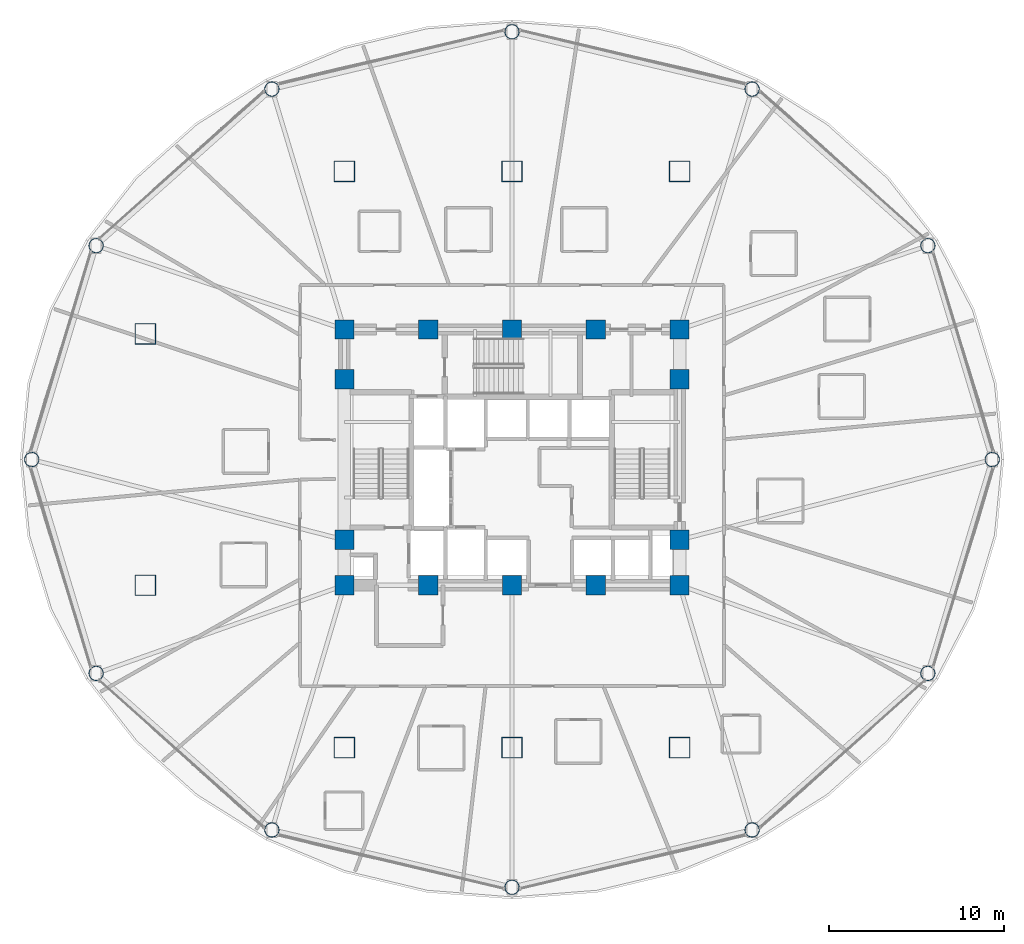
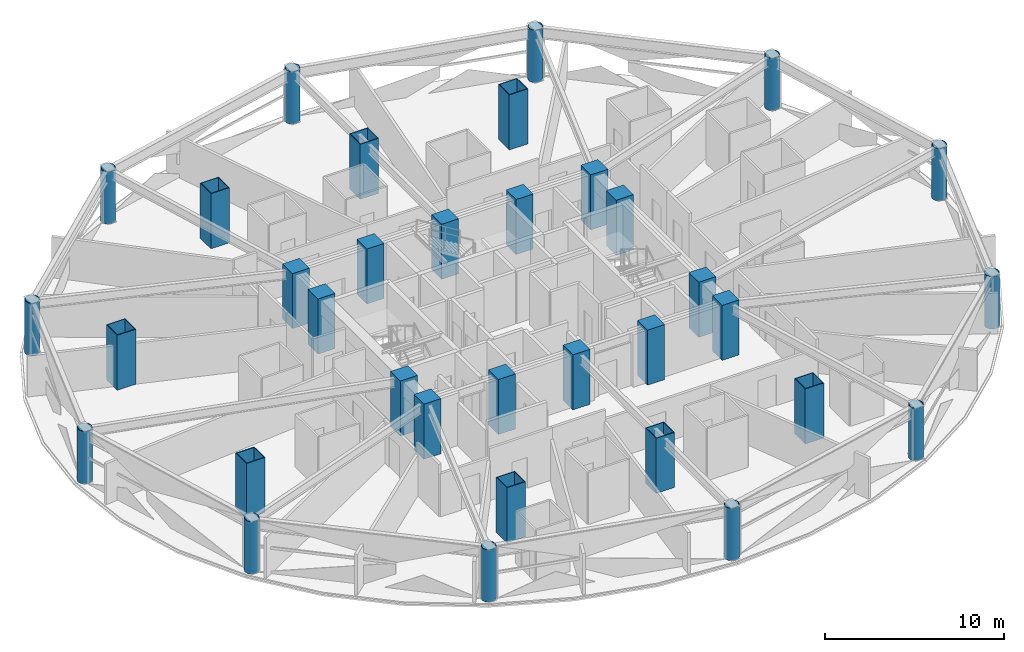
# One storey, part 1 of 30: 34 columns.
"""IFC4 building model written with IfcOpenShell, lengths in metres."""

from ifc_helpers import new_model, si_unit, direction, frame, origin, origin_2d, place, context, subcontext, project, spatial, rectangle, hollow_rectangle, hollow_circle, extrude, material, material_profile, profile_set, type_object, element, save


model = new_model("IFC4")

# Units and contexts
model_context = context("Model", 3, precision=1e-05, world=origin(), true_north=direction((0.0, 1.0)))
body_context = subcontext(model_context, "Body", "Model", "MODEL_VIEW")
ifc_project = project(units=[si_unit("LENGTHUNIT", "METRE"), si_unit("AREAUNIT", "SQUARE_METRE"), si_unit("VOLUMEUNIT", "CUBIC_METRE"), si_unit("PLANEANGLEUNIT", "RADIAN"), si_unit("MASSUNIT", "GRAM", prefix="KILO")], contexts=[model_context])

# Site, building, storey
site_placement = place(None, origin())
site = spatial("IfcSite", under=ifc_project, at=site_placement, CompositionType="ELEMENT")
building_placement = place(site_placement, origin())
building = spatial("IfcBuilding", under=site, at=building_placement, Name="Vantalir Tower", CompositionType="ELEMENT")
storey_placement = place(building_placement, frame((0.0, 0.0, 83.25)))
storey = spatial("IfcBuildingStorey", under=building, at=storey_placement, Name="L20", CompositionType="ELEMENT", Elevation=83.25)

# Columns
ifc_material_1 = material(Name="Concrete C60/75", Category="concrete")
ifc_material_profile_1 = material_profile(ifc_material_1, rectangle(XDim=1.10009765625, YDim=1.10009765625, at=origin_2d()), Name="Concrete C60/75")
ifc_profile_set_1 = profile_set([ifc_material_profile_1], Name="Concrete C60/75")
column_type_1 = type_object("IfcColumnType", Name="COL-CC-1100", PredefinedType="COLUMN", material=ifc_profile_set_1)
for number, where, z_axis, x_axis, name in (
    (1, (21.89990234375, 17.800048828125, 0.0), (0.0, 0.0, 1.0), (1.0, 0.0, 0.0), "L20 Core Column CC01"),
    (2, (26.699951171875, 17.800048828125, 0.0), (0.0, 0.0, 1.0), (1.0, 0.0, 0.0), "L20 Core Column CC02"),
    (3, (31.5, 17.800048828125, 0.0), (0.0, 0.0, 1.0), (1.0, 0.0, 0.0), "L20 Core Column CC03"),
    (4, (36.300048828125, 17.800048828125, 0.0), (0.0, 0.0, 1.0), (1.0, 0.0, 0.0), "L20 Core Column CC04"),
    (5, (41.10009765625, 17.800048828125, 0.0), (0.0, 0.0, 1.0), (1.0, 0.0, 0.0), "L20 Core Column CC05"),
    (6, (21.89990234375, 20.39990234375, 0.0), (0.0, 0.0, 1.0), (1.0, 0.0, 0.0), "L20 Core Column CC06"),
    (7, (21.89990234375, 29.60009765625, 0.0), (0.0, 0.0, 1.0), (1.0, 0.0, 0.0), "L20 Core Column CC07"),
    (8, (41.10009765625, 20.39990234375, 0.0), (0.0, 0.0, 1.0), (1.0, 0.0, 0.0), "L20 Core Column CC08"),
    (9, (41.10009765625, 29.60009765625, 0.0), (0.0, 0.0, 1.0), (1.0, 0.0, 0.0), "L20 Core Column CC09"),
    (10, (21.89990234375, 32.449951171875, 0.0), (0.0, 0.0, 1.0), (1.0, 0.0, 0.0), "L20 Core Column CC10"),
    (11, (26.699951171875, 32.449951171875, 0.0), (0.0, 0.0, 1.0), (1.0, 0.0, 0.0), "L20 Core Column CC11"),
    (12, (31.5, 32.449951171875, 0.0), (0.0, 0.0, 1.0), (1.0, 0.0, 0.0), "L20 Core Column CC12"),
    (13, (36.300048828125, 32.449951171875, 0.0), (0.0, 0.0, 1.0), (1.0, 0.0, 0.0), "L20 Core Column CC13"),
    (14, (41.10009765625, 32.449951171875, 0.0), (0.0, 0.0, 1.0), (1.0, 0.0, 0.0), "L20 Core Column CC14"),
):
    element("IfcColumn", number, at=place(storey_placement, frame(where, z_axis=z_axis, x_axis=x_axis)), inside=storey, type_object=column_type_1, Name=name, PredefinedType="COLUMN", context=body_context, shape_type="SweptSolid", body=[
        extrude(rectangle(XDim=1.10009765625, YDim=1.10009765625, at=origin_2d()), origin(), (0.0, 0.0, 1.0), 3.75),
    ])
ifc_material_2 = material(Name="Steel S460", Category="steel")
ifc_material_profile_2 = material_profile(ifc_material_2, hollow_rectangle(XDim=1.199951171875, YDim=1.199951171875, WallThickness=0.044921875, at=origin_2d()), Name="Steel S460")
ifc_profile_set_2 = profile_set([ifc_material_profile_2], Name="Steel S460")
column_type_2 = type_object("IfcColumnType", Name="COL-MC-1200", PredefinedType="COLUMN", material=ifc_profile_set_2)
for number, where, z_axis, x_axis, name in (
    (15, (21.89990234375, 8.5, 0.0), (0.0, 0.0, 1.0), (1.0, 0.0, 0.0), "L20 S460 Mega-Column MC01"),
    (16, (31.5, 8.5, 0.0), (0.0, 0.0, 1.0), (1.0, 0.0, 0.0), "L20 S460 Mega-Column MC02"),
    (17, (41.10009765625, 8.5, 0.0), (0.0, 0.0, 1.0), (1.0, 0.0, 0.0), "L20 S460 Mega-Column MC03"),
    (18, (10.5, 17.800048828125, 0.0), (0.0, 0.0, 1.0), (1.0, 0.0, 0.0), "L20 S460 Mega-Column MC04"),
    (19, (10.5, 32.199951171875, 0.0), (0.0, 0.0, 1.0), (1.0, 0.0, 0.0), "L20 S460 Mega-Column MC05"),
    (20, (21.89990234375, 41.5, 0.0), (0.0, 0.0, 1.0), (1.0, 0.0, 0.0), "L20 S460 Mega-Column MC06"),
    (21, (31.5, 41.5, 0.0), (0.0, 0.0, 1.0), (1.0, 0.0, 0.0), "L20 S460 Mega-Column MC07"),
    (22, (41.10009765625, 41.5, 0.0), (0.0, 0.0, 1.0), (1.0, 0.0, 0.0), "L20 S460 Mega-Column MC08"),
):
    element("IfcColumn", number, at=place(storey_placement, frame(where, z_axis=z_axis, x_axis=x_axis)), inside=storey, type_object=column_type_2, Name=name, PredefinedType="COLUMN", context=body_context, shape_type="SweptSolid", body=[
        extrude(hollow_rectangle(XDim=1.199951171875, YDim=1.199951171875, WallThickness=0.044921875, at=origin_2d()), origin(), (0.0, 0.0, 1.0), 3.75),
    ])
ifc_material_profile_3 = material_profile(ifc_material_2, hollow_circle(Radius=0.425048828125, WallThickness=0.0400390625, at=origin_2d()), Name="Steel S460")
ifc_profile_set_3 = profile_set([ifc_material_profile_3], Name="Steel S460")
column_type_3 = type_object("IfcColumnType", Name="COL-RC-850", PredefinedType="COLUMN", material=ifc_profile_set_3)
for number, where, z_axis, x_axis, name in (
    (23, (59.0, 25.0, 0.0), (0.0, 0.0, 1.0), (1.0, 0.0, 0.0), "L20 Perimeter Ring Column RC01"),
    (24, (55.31591796875, 37.2470703125, 0.0), (0.0, 0.0, 1.0), (1.0, 0.0, 0.0), "L20 Perimeter Ring Column RC02"),
    (25, (45.25, 46.212890625, 0.0), (0.0, 0.0, 1.0), (1.0, 0.0, 0.0), "L20 Perimeter Ring Column RC03"),
    (26, (31.5, 49.4951171875, 0.0), (0.0, 0.0, 1.0), (1.0, 0.0, 0.0), "L20 Perimeter Ring Column RC04"),
    (27, (17.75, 46.212890625, 0.0), (0.0, 0.0, 1.0), (1.0, 0.0, 0.0), "L20 Perimeter Ring Column RC05"),
    (28, (7.68408203125, 37.2470703125, 0.0), (0.0, 0.0, 1.0), (1.0, 0.0, 0.0), "L20 Perimeter Ring Column RC06"),
    (29, (4.0, 25.0, 0.0), (0.0, 0.0, 1.0), (1.0, 0.0, 0.0), "L20 Perimeter Ring Column RC07"),
    (30, (7.68408203125, 12.751953125, 0.0), (0.0, 0.0, 1.0), (1.0, 0.0, 0.0), "L20 Perimeter Ring Column RC08"),
    (31, (17.75, 3.787109375, 0.0), (0.0, 0.0, 1.0), (1.0, 0.0, 0.0), "L20 Perimeter Ring Column RC09"),
    (32, (31.5, 0.5048828125, 0.0), (0.0, 0.0, 1.0), (1.0, 0.0, 0.0), "L20 Perimeter Ring Column RC10"),
    (33, (45.25, 3.787109375, 0.0), (0.0, 0.0, 1.0), (1.0, 0.0, 0.0), "L20 Perimeter Ring Column RC11"),
    (34, (55.31591796875, 12.751953125, 0.0), (0.0, 0.0, 1.0), (1.0, 0.0, 0.0), "L20 Perimeter Ring Column RC12"),
):
    element("IfcColumn", number, at=place(storey_placement, frame(where, z_axis=z_axis, x_axis=x_axis)), inside=storey, type_object=column_type_3, Name=name, PredefinedType="COLUMN", context=body_context, shape_type="SweptSolid", body=[
        extrude(hollow_circle(Radius=0.425048828125, WallThickness=0.0400390625, at=origin_2d()), origin(), (0.0, 0.0, 1.0), 3.570068359375),
    ])

save(model, "model.ifc")
